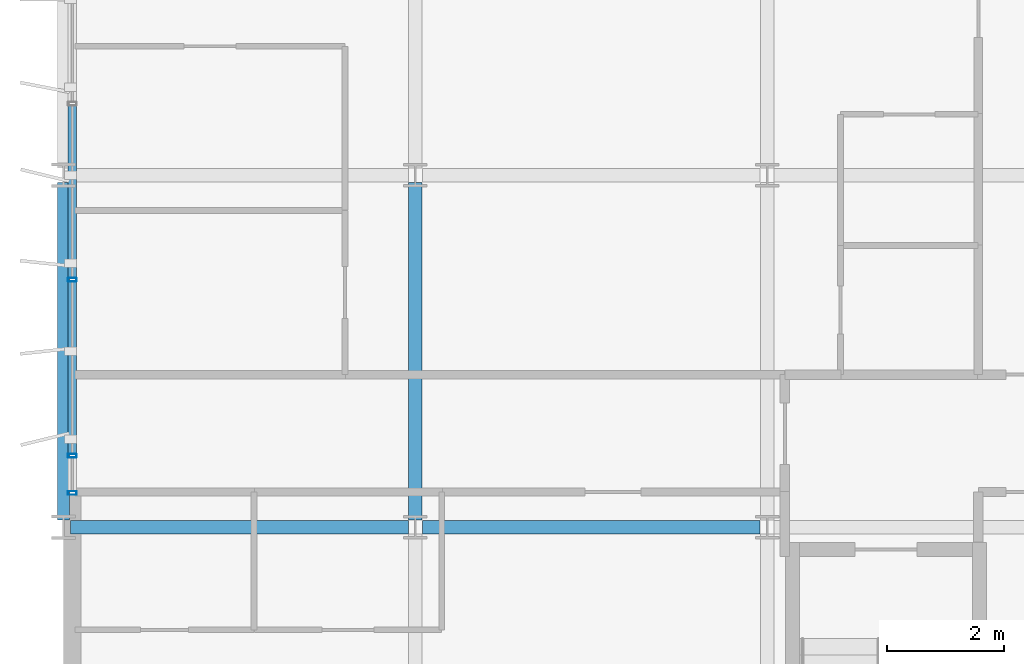
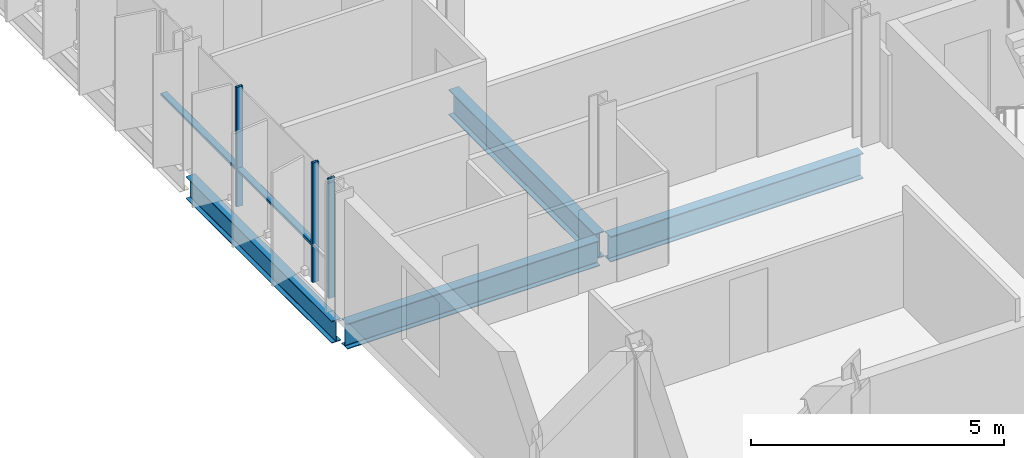
# One storey, part 4 of 38: 5 members, 4 beams, 1 element without a shape of its own.
"""IFC4 building model written with IfcOpenShell, lengths in metres."""

from ifc_helpers import new_model, si_unit, direction, frame, origin, origin_2d, place, context, subcontext, project, spatial, hollow_rectangle, i_section, extrude, material, layer, layer_set, material_profile, profile_set, type_object, element, aggregate, save


model = new_model("IFC4")

# Units and contexts
model_context = context("Model", 3, precision=1e-05, world=origin(), true_north=direction((0.0, 1.0)))
body_context = subcontext(model_context, "Body", "Model", "MODEL_VIEW")
ifc_project = project(units=[si_unit("LENGTHUNIT", "METRE"), si_unit("AREAUNIT", "SQUARE_METRE"), si_unit("VOLUMEUNIT", "CUBIC_METRE"), si_unit("PLANEANGLEUNIT", "RADIAN"), si_unit("MASSUNIT", "GRAM", prefix="KILO")], contexts=[model_context])

# Site, building, storey
site_placement = place(None, origin())
site = spatial("IfcSite", under=ifc_project, at=site_placement, CompositionType="ELEMENT")
building_placement = place(site_placement, origin())
building = spatial("IfcBuilding", under=site, at=building_placement, Name="Brevholm Reach", CompositionType="ELEMENT")
storey_placement = place(building_placement, frame((0.0, 0.0, 166.60009765625)))
storey = spatial("IfcBuildingStorey", under=building, at=storey_placement, Name="L50", CompositionType="ELEMENT", Elevation=166.60009765625)

# Beams
ifc_material_1 = material(Name="Structural Steel S355J2", Category="steel")
ifc_material_profile_1 = material_profile(ifc_material_1, i_section(OverallWidth=0.209228515625, OverallDepth=0.533203125, WebThickness=0.010009765625, FlangeThickness=0.015625, FilletRadius=0.0126953125, at=origin_2d()), Name="UKB 533x210x92")
ifc_profile_set_1 = profile_set([ifc_material_profile_1], Name="Structural Steel S355J2")
beam_type_1 = type_object("IfcBeamType", Name="BM-SP533", PredefinedType="SPANDREL", material=ifc_profile_set_1)
beam_placement = place(storey_placement, frame((0.0, 10.1201171875, -0.486572265625), z_axis=(0.0, 1.0, 0.0), x_axis=(-1.0, 0.0, 0.0)))
element("IfcBeam", 1, at=beam_placement, inside=storey, type_object=beam_type_1, Name="L50 SP-02 Framing Beam", PredefinedType="SPANDREL", context=body_context, shape_type="SweptSolid", body=[
    extrude(i_section(OverallWidth=0.209228515625, OverallDepth=0.533203125, WebThickness=0.010009765625, FlangeThickness=0.015625, FilletRadius=0.0126953125, at=origin_2d()), origin(), (0.0, 0.0, 1.0), 5.759765625),
])
ifc_material_2 = material(Name="Structural Steel S355J2", Category="steel")
ifc_material_profile_2 = material_profile(ifc_material_2, i_section(OverallWidth=0.22900390625, OverallDepth=0.6123046875, WebThickness=0.011962890625, FlangeThickness=0.01953125, FilletRadius=0.0126953125, at=origin_2d()), Name="UKB 610x229x125")
ifc_profile_set_2 = profile_set([ifc_material_profile_2], Name="Structural Steel S355J2")
beam_type_2 = type_object("IfcBeamType", Name="BM-SP610", PredefinedType="SPANDREL", material=ifc_profile_set_2)
for number, where, z_axis, x_axis, name in (
    (2, (0.1201171875, 10.0, -0.526123046875), (1.0, 0.0, 0.0), (0.0, 1.0, 0.0), "L50 SP-01 Framing Beam"),
    (3, (6.1201171875, 10.0, -0.526123046875), (1.0, 0.0, 0.0), (0.0, 1.0, 0.0), "L50 SP-01 Framing Beam"),
    (4, (6.0, 10.1201171875, -0.526123046875), (0.0, 1.0, 0.0), (-1.0, 0.0, 0.0), "L50 SP-01 Framing Beam"),
):
    element("IfcBeam", number, at=place(storey_placement, frame(where, z_axis=z_axis, x_axis=x_axis)), inside=storey, type_object=beam_type_2, Name=name, PredefinedType="SPANDREL", context=body_context, shape_type="SweptSolid", body=[
        extrude(i_section(OverallWidth=0.22900390625, OverallDepth=0.6123046875, WebThickness=0.011962890625, FlangeThickness=0.01953125, FilletRadius=0.0126953125, at=origin_2d()), origin(), (0.0, 0.0, 1.0), 5.759765625),
    ])

# Curtain wall, members
ifc_material_3 = material(Name="Dark Anodised Aluminium 6063-T6 and Solar-Control Glass", Category="aluminium")
ifc_layer = layer(ifc_material_3, 0.14990234375)
ifc_layer_set = layer_set([ifc_layer], Name="Dark Anodised Aluminium 6063-T6 and Solar-Control Glass")
curtain_wall_type = type_object("IfcCurtainWallType", Name="CW-01", PredefinedType="NOTDEFINED", material=ifc_layer_set)
curtain_wall_placement = place(storey_placement, origin())
curtain_wall = element("IfcCurtainWall", 5, at=curtain_wall_placement, inside=storey, type_object=curtain_wall_type, Name="L50 Curtain Wall CW-01", PredefinedType="NOTDEFINED")
ifc_material_4 = material(Name="Dark Anodised Aluminium 6063-T6", Category="aluminium")
ifc_material_profile_3 = material_profile(ifc_material_4, hollow_rectangle(XDim=0.06494140625, YDim=0.14990234375, WallThickness=0.0048828125, InnerFilletRadius=0.0048828125, OuterFilletRadius=0.010009765625, at=origin_2d()), Name="RHS 150x65x5")
ifc_profile_set_3 = profile_set([ifc_material_profile_3], Name="Dark Anodised Aluminium 6063-T6")
member_type_1 = type_object("IfcMemberType", Name="CWM-150", PredefinedType="MULLION", material=ifc_profile_set_3)
member_1_placement = place(storey_placement, frame((0.14990234375, 14.219970703125, 0.0), z_axis=(0.0, 0.0, 1.0), x_axis=(0.0, -1.0, 0.0)))
member_1 = element("IfcMember", 6, at=member_1_placement, type_object=member_type_1, Name="CM-150 Mullion 4", PredefinedType="MULLION", context=body_context, shape_type="SweptSolid", body=[
    extrude(hollow_rectangle(XDim=0.06494140625, YDim=0.14990234375, WallThickness=0.0048828125, InnerFilletRadius=0.0048828125, OuterFilletRadius=0.010009765625, at=origin_2d()), origin(), (0.0, 0.0, 1.0), 2.8798828125),
])
member_2_placement = place(storey_placement, frame((0.14990234375, 11.219970703125, 0.0), z_axis=(0.0, 0.0, 1.0), x_axis=(0.0, -1.0, 0.0)))
member_2 = element("IfcMember", 7, at=member_2_placement, type_object=member_type_1, Name="CM-150 Mullion 5", PredefinedType="MULLION", context=body_context, shape_type="SweptSolid", body=[
    extrude(hollow_rectangle(XDim=0.06494140625, YDim=0.14990234375, WallThickness=0.0048828125, InnerFilletRadius=0.0048828125, OuterFilletRadius=0.010009765625, at=origin_2d()), origin(), (0.0, 0.0, 1.0), 2.8798828125),
])
member_3_placement = place(storey_placement, frame((0.14990234375, 10.58251953125, 0.0), z_axis=(0.0, 0.0, 1.0), x_axis=(0.0, -1.0, 0.0)))
member_3 = element("IfcMember", 8, at=member_3_placement, type_object=member_type_1, Name="CM-150 Mullion 6", PredefinedType="MULLION", context=body_context, shape_type="SweptSolid", body=[
    extrude(hollow_rectangle(XDim=0.06494140625, YDim=0.14990234375, WallThickness=0.0048828125, InnerFilletRadius=0.0048828125, OuterFilletRadius=0.010009765625, at=origin_2d()), origin(), (0.0, 0.0, 1.0), 2.8798828125),
])
ifc_material_5 = material(Name="Dark Anodised Aluminium 6063-T6", Category="aluminium")
ifc_material_profile_4 = material_profile(ifc_material_5, hollow_rectangle(XDim=0.06494140625, YDim=0.14990234375, WallThickness=0.0048828125, InnerFilletRadius=0.0048828125, OuterFilletRadius=0.010009765625, at=origin_2d()), Name="RHS 150x65x5")
ifc_profile_set_4 = profile_set([ifc_material_profile_4], Name="Dark Anodised Aluminium 6063-T6")
member_type_2 = type_object("IfcMemberType", Name="CWT-150", PredefinedType="NOTDEFINED", material=ifc_profile_set_4)
member_4_placement = place(storey_placement, frame((0.14990234375, 17.1875, 0.89990234375), z_axis=(0.0, -1.0, 0.0), x_axis=(0.0, 0.0, 1.0)))
member_4 = element("IfcMember", 9, at=member_4_placement, type_object=member_type_2, Name="CT-150 Transom 3.1", ObjectType="TRANSOM", PredefinedType="USERDEFINED", context=body_context, shape_type="SweptSolid", body=[
    extrude(hollow_rectangle(XDim=0.06494140625, YDim=0.14990234375, WallThickness=0.0048828125, InnerFilletRadius=0.0048828125, OuterFilletRadius=0.010009765625, at=origin_2d()), origin(), (0.0, 0.0, 1.0), 2.93505859375),
])
member_5_placement = place(storey_placement, frame((0.14990234375, 14.1875, 0.89990234375), z_axis=(0.0, -1.0, 0.0), x_axis=(0.0, 0.0, 1.0)))
member_5 = element("IfcMember", 10, at=member_5_placement, type_object=member_type_2, Name="CT-150 Transom 4.1", ObjectType="TRANSOM", PredefinedType="USERDEFINED", context=body_context, shape_type="SweptSolid", body=[
    extrude(hollow_rectangle(XDim=0.06494140625, YDim=0.14990234375, WallThickness=0.0048828125, InnerFilletRadius=0.0048828125, OuterFilletRadius=0.010009765625, at=origin_2d()), origin(), (0.0, 0.0, 1.0), 2.93505859375),
])
aggregate(curtain_wall, [member_1, member_2, member_3, member_4, member_5])

save(model, "model.ifc")
